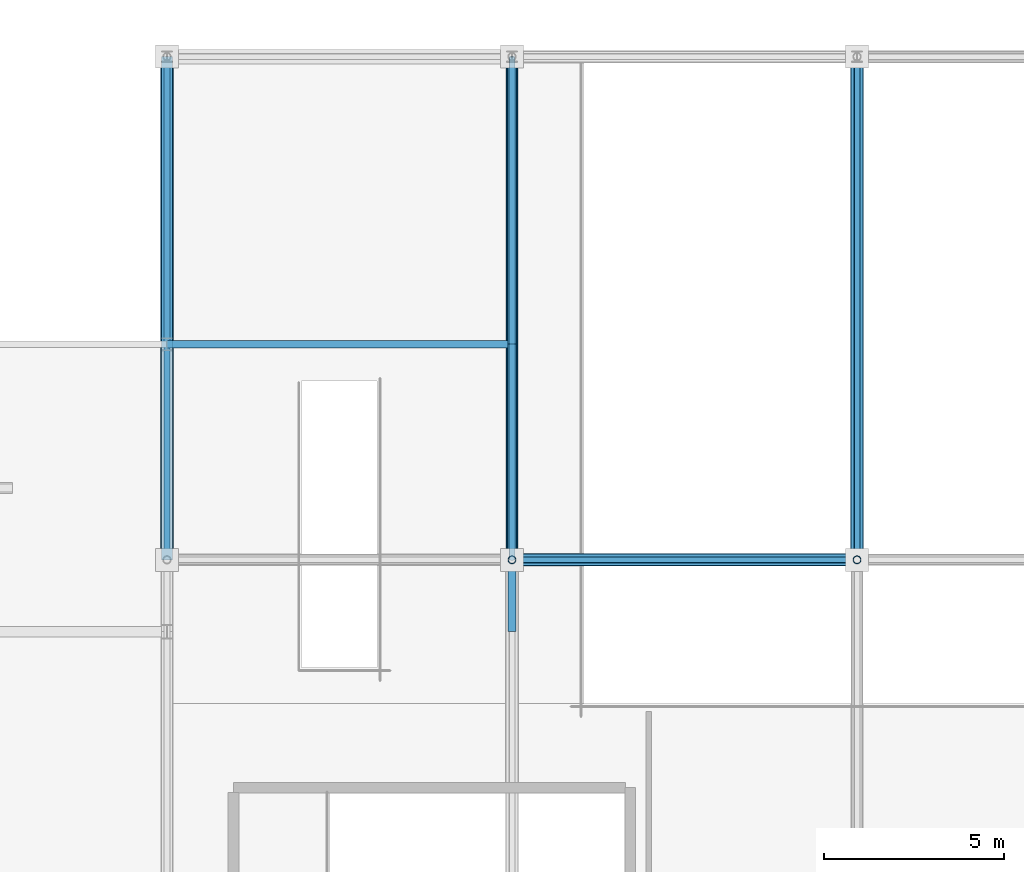
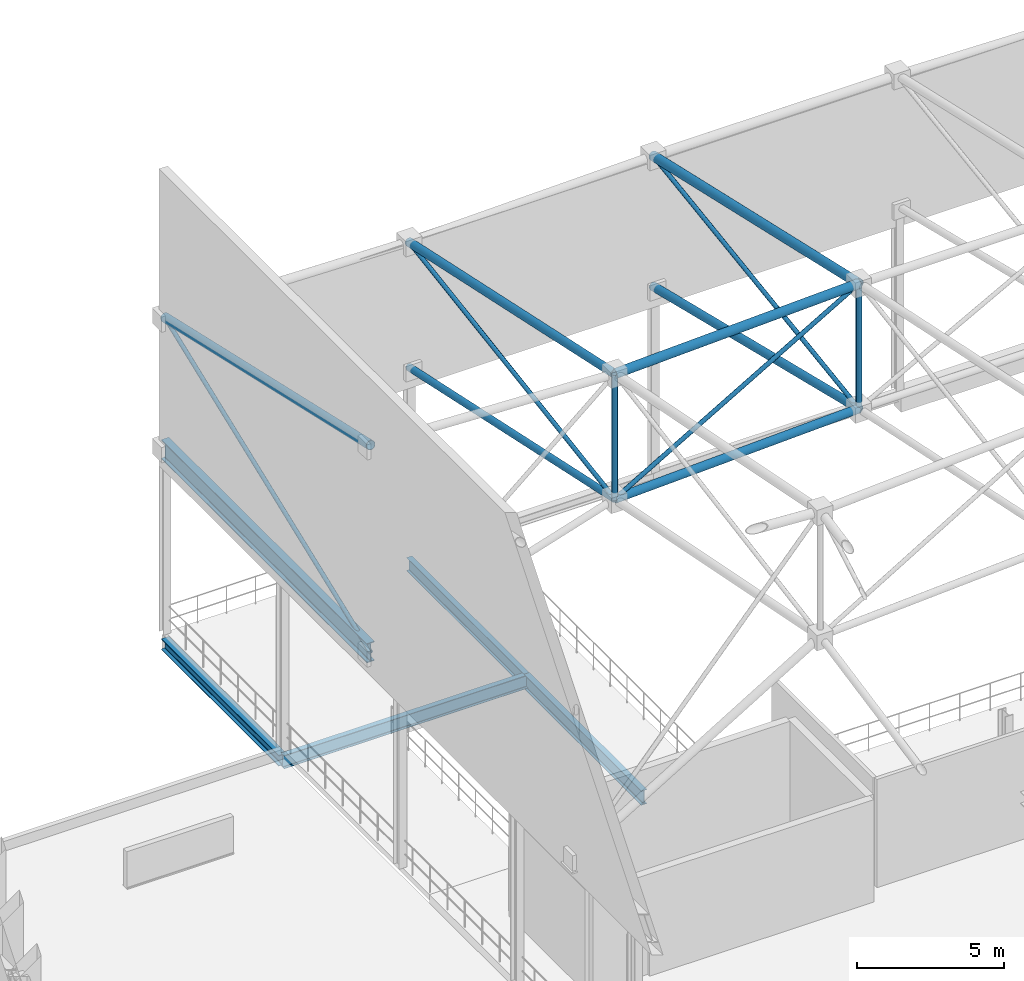
# One storey, part 138 of 193: 13 members, 5 beams.
"""IFC4 building model written with IfcOpenShell, lengths in metres."""

from ifc_helpers import new_model, si_unit, direction, frame, origin, origin_2d, place, context, subcontext, project, spatial, hollow_circle, i_section, extrude, material, material_profile, profile_set, type_object, element, save


model = new_model("IFC4")

# Units and contexts
model_context = context("Model", 3, precision=1e-05, world=origin(), true_north=direction((0.0, 1.0)))
body_context = subcontext(model_context, "Body", "Model", "MODEL_VIEW")
ifc_project = project(units=[si_unit("LENGTHUNIT", "METRE"), si_unit("AREAUNIT", "SQUARE_METRE"), si_unit("VOLUMEUNIT", "CUBIC_METRE"), si_unit("PLANEANGLEUNIT", "RADIAN"), si_unit("MASSUNIT", "GRAM", prefix="KILO")], contexts=[model_context])

# Site, building, storey
site_placement = place(None, origin())
site = spatial("IfcSite", under=ifc_project, at=site_placement, CompositionType="ELEMENT")
building_placement = place(site_placement, origin())
building = spatial("IfcBuilding", under=site, at=building_placement, Name="Danafjord Basin Convention Centre", CompositionType="ELEMENT")
storey_placement = place(building_placement, frame((0.0, 0.0, 11.39990234375)))
storey = spatial("IfcBuildingStorey", under=building, at=storey_placement, Name="L02", CompositionType="ELEMENT", Elevation=11.39990234375)

# Beams
ifc_material = material(Name="Steel S355", Category="steel")
ifc_material_profile_1 = material_profile(ifc_material, i_section(OverallWidth=0.300048828125, OverallDepth=0.800048828125, WebThickness=0.017578125, FlangeThickness=0.032958984375, FilletRadius=0.030029296875, at=origin_2d()), Name="HEB 800")
ifc_profile_set_1 = profile_set([ifc_material_profile_1], Name="Steel S355")
beam_type_1 = type_object("IfcBeamType", Name="BEAM-BM-HEB800", PredefinedType="BEAM", material=ifc_profile_set_1)
beam_1_placement = place(storey_placement, frame((134.39990234375, 130.0, 7.650146484375), z_axis=(0.0, 1.0, 0.0), x_axis=(-1.0, 0.0, 0.0)))
element("IfcBeam", 1, at=beam_1_placement, inside=storey, type_object=beam_type_1, Name="V2 space-frame perimeter ring girder", PredefinedType="BEAM", context=body_context, shape_type="SweptSolid", body=[
    extrude(i_section(OverallWidth=0.300048828125, OverallDepth=0.800048828125, WebThickness=0.017578125, FlangeThickness=0.032958984375, FilletRadius=0.030029296875, at=origin_2d()), origin(), (0.0, 0.0, 1.0), 14.0),
])
ifc_material_profile_2 = material_profile(ifc_material, i_section(OverallWidth=0.2099609375, OverallDepth=0.550048828125, WebThickness=0.010986328125, FlangeThickness=0.01708984375, FilletRadius=0.02392578125, at=origin_2d()), Name="IPE 550")
ifc_profile_set_2 = profile_set([ifc_material_profile_2], Name="Steel S355")
beam_type_2 = type_object("IfcBeamType", Name="BEAM-BM-IPE550", PredefinedType="BEAM", material=ifc_profile_set_2)
beam_2_placement = place(storey_placement, frame((134.39990234375, 136.0, -0.5048828125), z_axis=(1.0, 0.0, 0.0), x_axis=(0.0, 1.0, 0.0)))
element("IfcBeam", 2, at=beam_2_placement, inside=storey, type_object=beam_type_2, Name="L02 girder BM-IPE550", PredefinedType="BEAM", context=body_context, shape_type="SweptSolid", body=[
    extrude(i_section(OverallWidth=0.2099609375, OverallDepth=0.550048828125, WebThickness=0.010986328125, FlangeThickness=0.01708984375, FilletRadius=0.02392578125, at=origin_2d()), origin(), (0.0, 0.0, 1.0), 9.60009765625),
])
beam_3_placement = place(storey_placement, frame((144.0, 136.0, -0.5048828125), z_axis=(0.0, 1.0, 0.0), x_axis=(-1.0, 0.0, 0.0)))
element("IfcBeam", 3, at=beam_3_placement, inside=storey, type_object=beam_type_2, Name="L02 transverse girder BM-IPE550", PredefinedType="BEAM", context=body_context, shape_type="SweptSolid", body=[
    extrude(i_section(OverallWidth=0.2099609375, OverallDepth=0.550048828125, WebThickness=0.010986328125, FlangeThickness=0.01708984375, FilletRadius=0.02392578125, at=origin_2d()), origin(), (0.0, 0.0, 1.0), 8.0),
])
ifc_material_profile_3 = material_profile(ifc_material, i_section(OverallWidth=0.219970703125, OverallDepth=0.60009765625, WebThickness=0.011962890625, FlangeThickness=0.01904296875, FilletRadius=0.02392578125, at=origin_2d()), Name="IPE 600")
ifc_profile_set_3 = profile_set([ifc_material_profile_3], Name="Steel S355")
beam_type_3 = type_object("IfcBeamType", Name="BEAM-BM-IPE600", PredefinedType="BEAM", material=ifc_profile_set_3)
beam_4_placement = place(storey_placement, frame((144.0, 128.0, -0.52978515625), z_axis=(0.0, 1.0, 0.0), x_axis=(-1.0, 0.0, 0.0)))
element("IfcBeam", 4, at=beam_4_placement, inside=storey, type_object=beam_type_3, Name="L02 transverse girder BM-IPE600", PredefinedType="BEAM", context=body_context, shape_type="SweptSolid", body=[
    extrude(i_section(OverallWidth=0.219970703125, OverallDepth=0.60009765625, WebThickness=0.011962890625, FlangeThickness=0.01904296875, FilletRadius=0.02392578125, at=origin_2d()), origin(), (0.0, 0.0, 1.0), 8.0),
])
ifc_material_profile_4 = material_profile(ifc_material, i_section(OverallWidth=0.300048828125, OverallDepth=0.449951171875, WebThickness=0.013916015625, FlangeThickness=0.02587890625, FilletRadius=0.027099609375, at=origin_2d()), Name="HEB 450")
ifc_profile_set_4 = profile_set([ifc_material_profile_4], Name="Steel S355")
beam_type_4 = type_object("IfcBeamType", Name="BEAM-SP-HEB450", PredefinedType="SPANDREL", material=ifc_profile_set_4)
beam_5_placement = place(storey_placement, frame((134.39990234375, 136.0, -0.454833984375), z_axis=(0.0, 1.0, 0.0), x_axis=(-1.0, 0.0, 0.0)))
element("IfcBeam", 5, at=beam_5_placement, inside=storey, type_object=beam_type_4, Name="L02 transverse girder SP-HEB450", PredefinedType="SPANDREL", context=body_context, shape_type="SweptSolid", body=[
    extrude(i_section(OverallWidth=0.300048828125, OverallDepth=0.449951171875, WebThickness=0.013916015625, FlangeThickness=0.02587890625, FilletRadius=0.027099609375, at=origin_2d()), origin(), (0.0, 0.0, 1.0), 8.0),
])

# Members
ifc_material_profile_5 = material_profile(ifc_material, hollow_circle(Radius=0.136474609375, WallThickness=0.012451171875, at=origin_2d()), Name="CHS 273.0x12.5")
ifc_profile_set_5 = profile_set([ifc_material_profile_5], Name="Steel S355")
member_type_1 = type_object("IfcMemberType", Name="MEM-CH-CHS273", PredefinedType="CHORD", material=ifc_profile_set_5)
member_1_placement = place(storey_placement, frame((144.0, 130.0, 10.666015625), z_axis=(0.0, 0.977574816631, -0.210588408724), x_axis=(-1.0, 0.0, 0.0)))
element("IfcMember", 6, at=member_1_placement, inside=storey, type_object=member_type_1, Name="V2 roof truss transverse bottom chord", PredefinedType="CHORD", context=body_context, shape_type="SweptSolid", body=[
    extrude(hollow_circle(Radius=0.136474609375, WallThickness=0.012451171875, at=origin_2d()), origin(), (0.0, 0.0, 1.0), 14.321044921875),
])
ifc_material_profile_6 = material_profile(ifc_material, hollow_circle(Radius=0.161865234375, WallThickness=0.01611328125, at=origin_2d()), Name="CHS 323.9x16.0")
ifc_profile_set_6 = profile_set([ifc_material_profile_6], Name="Steel S355")
member_type_2 = type_object("IfcMemberType", Name="MEM-CH-CHS324", PredefinedType="CHORD", material=ifc_profile_set_6)
member_2_placement = place(storey_placement, frame((144.0, 130.0, 10.666015625), z_axis=(0.999159728014, 0.0, 0.040985825779), x_axis=(0.0, 1.0, 0.0)))
element("IfcMember", 7, at=member_2_placement, inside=storey, type_object=member_type_2, Name="V2 roof truss longitudinal bottom chord", PredefinedType="CHORD", context=body_context, shape_type="SweptSolid", body=[
    extrude(hollow_circle(Radius=0.161865234375, WallThickness=0.01611328125, at=origin_2d()), origin(), (0.0, 0.0, 1.0), 9.608154296875),
])
member_3_placement = place(storey_placement, frame((144.0, 130.0, 15.8662109375), z_axis=(0.0, 0.977571306998, -0.210604700172), x_axis=(-1.0, 0.0, 0.0)))
element("IfcMember", 8, at=member_3_placement, inside=storey, type_object=member_type_2, Name="V2 roof truss transverse top chord", PredefinedType="CHORD", context=body_context, shape_type="SweptSolid", body=[
    extrude(hollow_circle(Radius=0.161865234375, WallThickness=0.01611328125, at=origin_2d()), origin(), (0.0, 0.0, 1.0), 14.3212890625),
])
member_4_placement = place(storey_placement, frame((153.60009765625, 130.0, 11.059814453125), z_axis=(0.0, 0.971599626019, -0.236630865949), x_axis=(-1.0, 0.0, 0.0)))
element("IfcMember", 9, at=member_4_placement, inside=storey, type_object=member_type_2, Name="V2 roof truss transverse bottom chord", PredefinedType="CHORD", context=body_context, shape_type="SweptSolid", body=[
    extrude(hollow_circle(Radius=0.161865234375, WallThickness=0.01611328125, at=origin_2d()), origin(), (0.0, 0.0, 1.0), 14.4091796875),
])
ifc_material_profile_7 = material_profile(ifc_material, hollow_circle(Radius=0.177734375, WallThickness=0.01611328125, at=origin_2d()), Name="CHS 355.6x16.0")
ifc_profile_set_7 = profile_set([ifc_material_profile_7], Name="Steel S355")
member_type_3 = type_object("IfcMemberType", Name="MEM-CH-CHS355", PredefinedType="CHORD", material=ifc_profile_set_7)
member_5_placement = place(storey_placement, frame((134.39990234375, 130.0, 16.259765625), z_axis=(0.0, 0.975091413877, -0.221803369186), x_axis=(-1.0, 0.0, 0.0)))
element("IfcMember", 10, at=member_5_placement, inside=storey, type_object=member_type_3, Name="V2 roof truss transverse top chord", PredefinedType="CHORD", context=body_context, shape_type="SweptSolid", body=[
    extrude(hollow_circle(Radius=0.177734375, WallThickness=0.01611328125, at=origin_2d()), origin(), (0.0, 0.0, 1.0), 14.357666015625),
])
member_6_placement = place(storey_placement, frame((144.0, 130.0, 15.8662109375), z_axis=(0.999159728014, 0.0, 0.040985825779), x_axis=(0.0, 1.0, 0.0)))
element("IfcMember", 11, at=member_6_placement, inside=storey, type_object=member_type_3, Name="V2 roof truss longitudinal top chord", PredefinedType="CHORD", context=body_context, shape_type="SweptSolid", body=[
    extrude(hollow_circle(Radius=0.177734375, WallThickness=0.01611328125, at=origin_2d()), origin(), (0.0, 0.0, 1.0), 9.608154296875),
])
member_7_placement = place(storey_placement, frame((153.60009765625, 130.0, 16.260009765625), z_axis=(0.0, 0.975087736104, -0.221819536786), x_axis=(-1.0, 0.0, 0.0)))
element("IfcMember", 12, at=member_7_placement, inside=storey, type_object=member_type_3, Name="V2 roof truss transverse top chord", PredefinedType="CHORD", context=body_context, shape_type="SweptSolid", body=[
    extrude(hollow_circle(Radius=0.177734375, WallThickness=0.01611328125, at=origin_2d()), origin(), (0.0, 0.0, 1.0), 14.357666015625),
])
ifc_material_profile_8 = material_profile(ifc_material, hollow_circle(Radius=0.109619140625, WallThickness=0.010009765625, at=origin_2d()), Name="CHS 219.1x10.0")
ifc_profile_set_8 = profile_set([ifc_material_profile_8], Name="Steel S355")
member_type_4 = type_object("IfcMemberType", Name="MEM-ST-CHS219", PredefinedType="STRUT", material=ifc_profile_set_8)
for number, where, z_axis, x_axis, name in (
    (13, (144.0, 130.0, 10.666015625), (0.0, 0.0, 1.0), (1.0, 0.0, 0.0), "V2 roof truss vertical strut"),
    (14, (153.60009765625, 130.0, 11.059814453125), (0.0, 0.0, 1.0), (1.0, 0.0, 0.0), "V2 roof truss vertical strut"),
):
    element("IfcMember", number, at=place(storey_placement, frame(where, z_axis=z_axis, x_axis=x_axis)), inside=storey, type_object=member_type_4, Name=name, PredefinedType="STRUT", context=body_context, shape_type="SweptSolid", body=[
        extrude(hollow_circle(Radius=0.109619140625, WallThickness=0.010009765625, at=origin_2d()), origin(), (0.0, 0.0, 1.0), 5.2001953125),
    ])
ifc_material_profile_9 = material_profile(ifc_material, hollow_circle(Radius=0.084228515625, WallThickness=0.008056640625, at=origin_2d()), Name="CHS 168.3x8.0")
ifc_profile_set_9 = profile_set([ifc_material_profile_9], Name="Steel S355")
member_type_5 = type_object("IfcMemberType", Name="MEM-WB-CHS168", PredefinedType="MEMBER", material=ifc_profile_set_9)
member_8_placement = place(storey_placement, frame((134.39990234375, 130.0, 7.650146484375), z_axis=(0.0, 0.932440369514, 0.361323895281), x_axis=(-1.0, 0.0, 0.0)))
element("IfcMember", 15, at=member_8_placement, inside=storey, type_object=member_type_5, Name="V2 space-frame transverse web", PredefinedType="MEMBER", context=body_context, shape_type="SweptSolid", body=[
    extrude(hollow_circle(Radius=0.084228515625, WallThickness=0.008056640625, at=origin_2d()), origin(), (0.0, 0.0, 1.0), 15.014404296875),
])
member_9_placement = place(storey_placement, frame((144.0, 130.0, 10.666015625), z_axis=(0.864016293861, 0.0, 0.503463845716), x_axis=(0.0, 1.0, 0.0)))
element("IfcMember", 16, at=member_9_placement, inside=storey, type_object=member_type_5, Name="V2 space-frame longitudinal web", PredefinedType="MEMBER", context=body_context, shape_type="SweptSolid", body=[
    extrude(hollow_circle(Radius=0.084228515625, WallThickness=0.008056640625, at=origin_2d()), origin(), (0.0, 0.0, 1.0), 11.111083984375),
])
member_10_placement = place(storey_placement, frame((144.0, 130.0, 10.666015625), z_axis=(0.0, 0.988048798499, 0.154141401914), x_axis=(-1.0, 0.0, 0.0)))
element("IfcMember", 17, at=member_10_placement, inside=storey, type_object=member_type_5, Name="V2 space-frame transverse web", PredefinedType="MEMBER", context=body_context, shape_type="SweptSolid", body=[
    extrude(hollow_circle(Radius=0.084228515625, WallThickness=0.008056640625, at=origin_2d()), origin(), (0.0, 0.0, 1.0), 14.16943359375),
])
member_11_placement = place(storey_placement, frame((153.60009765625, 130.0, 11.059814453125), z_axis=(0.0, 0.989796680829, 0.142486948944), x_axis=(-1.0, 0.0, 0.0)))
element("IfcMember", 18, at=member_11_placement, inside=storey, type_object=member_type_5, Name="V2 space-frame transverse web", PredefinedType="MEMBER", context=body_context, shape_type="SweptSolid", body=[
    extrude(hollow_circle(Radius=0.084228515625, WallThickness=0.008056640625, at=origin_2d()), origin(), (0.0, 0.0, 1.0), 14.144287109375),
])

save(model, "model.ifc")
